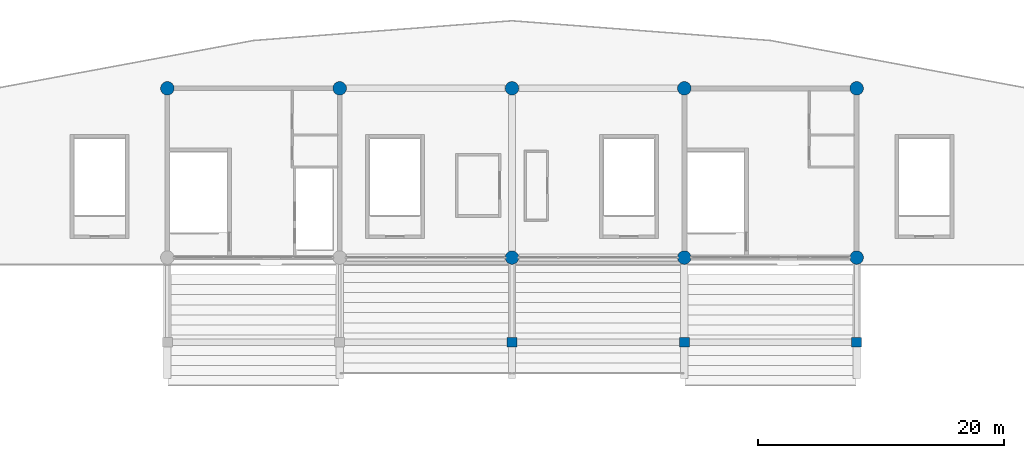
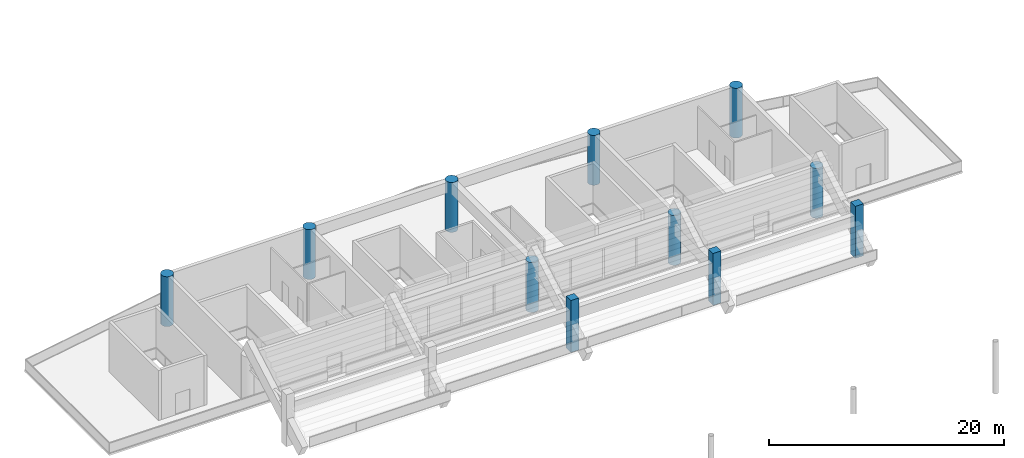
# One storey, part 10 of 90: 11 columns.
"""IFC4 building model written with IfcOpenShell, lengths in metres."""

from ifc_helpers import new_model, si_unit, direction, frame, origin, origin_2d, place, context, subcontext, project, spatial, rectangle, circle, extrude, material, material_profile, profile_set, type_object, element, save


model = new_model("IFC4")

# Units and contexts
model_context = context("Model", 3, precision=1e-05, world=origin(), true_north=direction((0.0, 1.0)))
body_context = subcontext(model_context, "Body", "Model", "MODEL_VIEW")
ifc_project = project(units=[si_unit("LENGTHUNIT", "METRE"), si_unit("AREAUNIT", "SQUARE_METRE"), si_unit("VOLUMEUNIT", "CUBIC_METRE"), si_unit("PLANEANGLEUNIT", "RADIAN"), si_unit("MASSUNIT", "GRAM", prefix="KILO")], contexts=[model_context])

# Site, building, storey
site_placement = place(None, origin())
site = spatial("IfcSite", under=ifc_project, at=site_placement, CompositionType="ELEMENT")
building_placement = place(site_placement, origin())
building = spatial("IfcBuilding", under=site, at=building_placement, Name="Linyun Crest Stadium", CompositionType="ELEMENT")
storey_placement = place(building_placement, frame((0.0, 0.0, 21.0)))
storey = spatial("IfcBuildingStorey", under=building, at=storey_placement, Name="L05", CompositionType="ELEMENT", Elevation=21.0)

# Columns
ifc_material_1 = material(Name="Concrete C50", Category="concrete")
ifc_material_profile_1 = material_profile(ifc_material_1, rectangle(XDim=0.800048828125, YDim=0.800048828125, at=origin_2d()), Name="RC 800x800")
ifc_profile_set_1 = profile_set([ifc_material_profile_1], Name="Concrete C50")
column_type_1 = type_object("IfcColumnType", Name="C03", PredefinedType="COLUMN", material=ifc_profile_set_1)
for number, where, z_axis, x_axis, name in (
    (1, (0.0, 84.625, 0.0), (0.0, 0.0, 1.0), (1.0, 0.0, 0.0), "Column C03 L05 619"),
    (2, (14.0, 84.625, 0.0), (0.0, 0.0, 1.0), (1.0, 0.0, 0.0), "Column C03 L05 640"),
    (3, (28.0, 84.625, 0.0), (0.0, 0.0, 1.0), (1.0, 0.0, 0.0), "Column C03 L05 661"),
):
    element("IfcColumn", number, at=place(storey_placement, frame(where, z_axis=z_axis, x_axis=x_axis)), inside=storey, type_object=column_type_1, Name=name, PredefinedType="COLUMN", context=body_context, shape_type="SweptSolid", body=[
        extrude(rectangle(XDim=0.800048828125, YDim=0.800048828125, at=origin_2d()), origin(), (0.0, 0.0, 1.0), 5.39990234375),
    ])
ifc_material_2 = material(Name="Concrete C50", Category="concrete")
ifc_material_profile_2 = material_profile(ifc_material_2, circle(Radius=0.550048828125, at=origin_2d()), Name="RC D1100")
ifc_profile_set_2 = profile_set([ifc_material_profile_2], Name="Concrete C50")
column_type_2 = type_object("IfcColumnType", Name="C10", PredefinedType="COLUMN", material=ifc_profile_set_2)
for number, where, z_axis, x_axis, name in (
    (4, (-28.0, 105.25, 0.0), (0.0, 0.0, 1.0), (1.0, 0.0, 0.0), "Column C10 L05 589"),
    (5, (-14.0, 105.25, 0.0), (0.0, 0.0, 1.0), (1.0, 0.0, 0.0), "Column C10 L05 610"),
    (6, (0.0, 91.5, 0.0), (0.0, 0.0, 1.0), (1.0, 0.0, 0.0), "Column C10 L05 625"),
    (7, (0.0, 105.25, 0.0), (0.0, 0.0, 1.0), (1.0, 0.0, 0.0), "Column C10 L05 631"),
    (8, (14.0, 91.5, 0.0), (0.0, 0.0, 1.0), (1.0, 0.0, 0.0), "Column C10 L05 646"),
    (9, (14.0, 105.25, 0.0), (0.0, 0.0, 1.0), (1.0, 0.0, 0.0), "Column C10 L05 652"),
    (10, (28.0, 91.5, 0.0), (0.0, 0.0, 1.0), (1.0, 0.0, 0.0), "Column C10 L05 667"),
    (11, (28.0, 105.25, 0.0), (0.0, 0.0, 1.0), (1.0, 0.0, 0.0), "Column C10 L05 673"),
):
    element("IfcColumn", number, at=place(storey_placement, frame(where, z_axis=z_axis, x_axis=x_axis)), inside=storey, type_object=column_type_2, Name=name, PredefinedType="COLUMN", context=body_context, shape_type="SweptSolid", body=[
        extrude(circle(Radius=0.550048828125, at=origin_2d()), origin(), (0.0, 0.0, 1.0), 5.18505859375),
    ])

save(model, "model.ifc")
